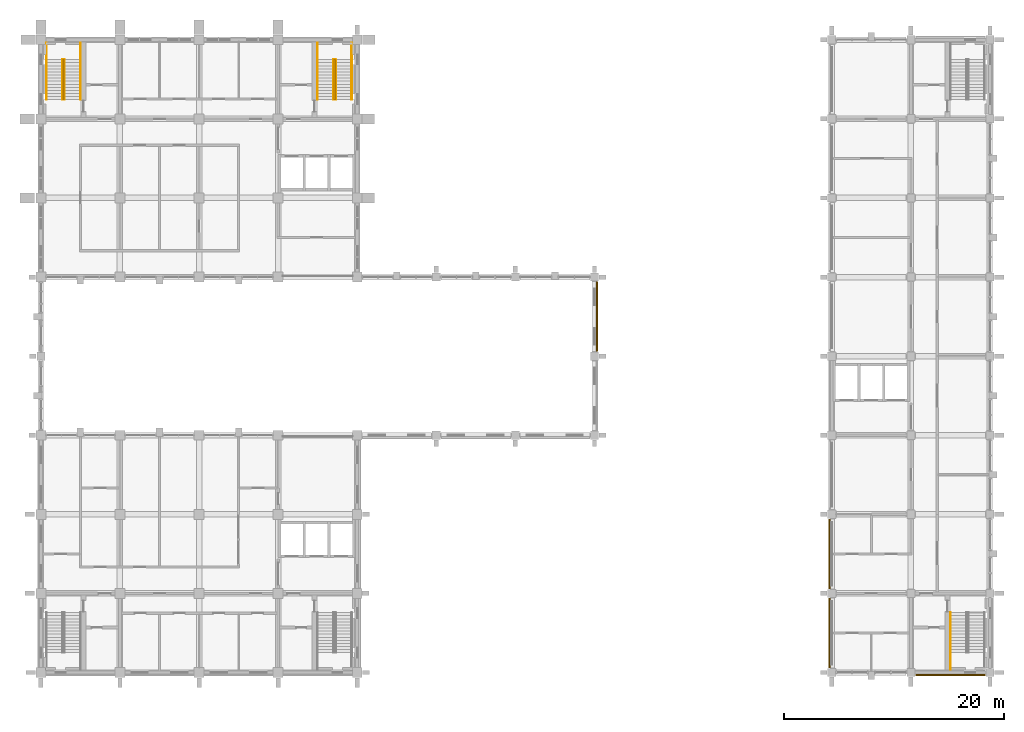
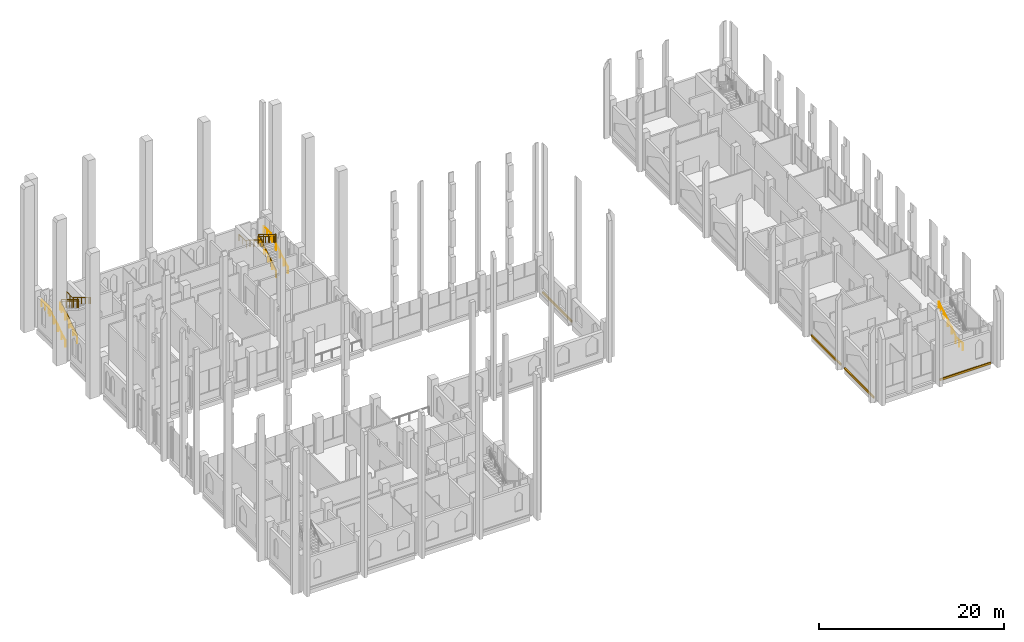
# One storey, part 39 of 40: 11 railings, 4 coverings.
"""IFC4 building model written with IfcOpenShell, lengths in metres."""

from ifc_helpers import new_model, si_unit, direction, frame, origin, origin_2d, place, context, subcontext, project, spatial, rectangle, circle, extrude, material, type_object, element, save


model = new_model("IFC4")

# Units and contexts
model_context = context("Model", 3, precision=1e-05, world=origin(), true_north=direction((0.0, 1.0)))
body_context = subcontext(model_context, "Body", "Model", "MODEL_VIEW")
ifc_project = project(units=[si_unit("LENGTHUNIT", "METRE"), si_unit("AREAUNIT", "SQUARE_METRE"), si_unit("VOLUMEUNIT", "CUBIC_METRE"), si_unit("PLANEANGLEUNIT", "RADIAN"), si_unit("MASSUNIT", "GRAM", prefix="KILO")], contexts=[model_context])

# Site, building, storey
site_placement = place(None, origin())
site = spatial("IfcSite", under=ifc_project, at=site_placement, CompositionType="ELEMENT")
building_placement = place(site_placement, origin())
building = spatial("IfcBuilding", under=site, at=building_placement, Name="Silangan Lancet Faculty of Sciences", CompositionType="ELEMENT")
storey_placement = place(building_placement, frame((0.0, 0.0, 21.60009765625)))
storey = spatial("IfcBuildingStorey", under=building, at=storey_placement, Name="L04", CompositionType="ELEMENT", Elevation=21.60009765625)

# Coverings
ifc_material_1 = material(Name="Concrete C40/50 precast", Category="concrete")
covering_type = type_object("IfcCoveringType", Name="SC1 Precast string course 250 x 150", PredefinedType="CLADDING", material=ifc_material_1)
covering_1_placement = place(storey_placement, frame((50.625, 32.39990234375, -0.25), z_axis=(0.0, 0.0, 1.0), x_axis=(1.0, 0.0, 0.0)))
element("IfcCovering", 1, at=covering_1_placement, inside=storey, type_object=covering_type, Name="SC-L04-E-NAVE-01", PredefinedType="CLADDING", context=body_context, shape_type="SweptSolid", body=[
    extrude(rectangle(XDim=0.14990234375, YDim=6.35009765625, at=origin_2d()), origin(), (0.0, 0.0, 1.0), 0.25),
])
covering_2_placement = place(storey_placement, frame((82.800048828125, -0.22509765625, -0.25), z_axis=(0.0, 0.0, 1.0), x_axis=(1.0, 0.0, 0.0)))
element("IfcCovering", 2, at=covering_2_placement, inside=storey, type_object=covering_type, Name="SC-L04-S-EB-01", PredefinedType="CLADDING", context=body_context, shape_type="SweptSolid", body=[
    extrude(rectangle(XDim=6.35009765625, YDim=0.14990234375, at=origin_2d()), origin(), (0.0, 0.0, 1.0), 0.25),
])
for number, where, z_axis, x_axis, name in (
    (3, (71.77490234375, 3.60009765625, -0.25), (0.0, 0.0, 1.0), (1.0, 0.0, 0.0), "SC-L04-W-EB-00"),
    (4, (71.77490234375, 10.800048828125, -0.25), (0.0, 0.0, 1.0), (1.0, 0.0, 0.0), "SC-L04-W-EB-01"),
):
    element("IfcCovering", number, at=place(storey_placement, frame(where, z_axis=z_axis, x_axis=x_axis)), inside=storey, type_object=covering_type, Name=name, PredefinedType="CLADDING", context=body_context, shape_type="SweptSolid", body=[
        extrude(rectangle(XDim=0.14990234375, YDim=6.35009765625, at=origin_2d()), origin(), (0.0, 0.0, 1.0), 0.25),
    ])

# Railings
ifc_material_2 = material(Name="Steel balustrade", Category="steel")
railing_type_1 = type_object("IfcRailingType", Name="STAIR GUARD 1100", PredefinedType="GUARDRAIL", material=ifc_material_2)
railing_1_placement = place(storey_placement, frame((2.0, 52.14990234375, 0.17138671875)))
element("IfcRailing", 5, at=railing_1_placement, inside=storey, type_object=railing_type_1, Name="GUARD-NT-A-L04", PredefinedType="GUARDRAIL", context=body_context, shape_type="SweptSolid", body=[
    extrude(circle(Radius=0.02392578125, at=origin_2d()), frame((0.0, 0.0, 1.076171875), z_axis=(0.0, 0.852932391421, 0.522021393877), x_axis=(-1.0, 0.0, 0.0)), (0.0, 0.0, 1.0), 1.313232421875),
    extrude(circle(Radius=0.02392578125, at=origin_2d()), frame((0.0, 1.1201171875, 1.76171875), z_axis=(0.0, 0.852798921012, 0.522239409008), x_axis=(-1.0, 0.0, 0.0)), (0.0, 0.0, 1.0), 1.313232421875),
    extrude(circle(Radius=0.02392578125, at=origin_2d()), frame((0.0, 2.239990234375, 2.447265625), z_axis=(0.0, 0.852849614702, 0.52215661894), x_axis=(-1.0, 0.0, 0.0)), (0.0, 0.0, 1.0), 1.3134765625),
    extrude(circle(Radius=0.02392578125, at=origin_2d()), frame((0.0, 3.360107421875, 3.13330078125), z_axis=(0.0, 0.852932391421, 0.522021393877), x_axis=(-1.0, 0.0, 0.0)), (0.0, 0.0, 1.0), 0.328369140625),
    extrude(circle(Radius=0.02392578125, at=origin_2d()), frame((0.0, 3.64013671875, 3.3046875), z_axis=(1.0, 0.0, 0.0), x_axis=(0.0, 1.0, 0.0)), (0.0, 0.0, 1.0), 0.10009765625),
    extrude(circle(Radius=0.02392578125, at=origin_2d()), frame((0.10009765625, 3.64013671875, 3.3046875), z_axis=(0.0, 0.0, 1.0), x_axis=(1.0, 0.0, 0.0)), (0.0, 0.0, 1.0), 0.17138671875),
    extrude(circle(Radius=0.02392578125, at=origin_2d()), frame((0.10009765625, 3.64013671875, 3.47607421875), z_axis=(0.0, -0.852849614702, 0.52215661894), x_axis=(1.0, 0.0, 0.0)), (0.0, 0.0, 1.0), 1.3134765625),
    extrude(circle(Radius=0.02392578125, at=origin_2d()), frame((0.10009765625, 2.52001953125, 4.16162109375), z_axis=(0.0, -0.852798921012, 0.522239409008), x_axis=(1.0, 0.0, 0.0)), (0.0, 0.0, 1.0), 1.313232421875),
    extrude(circle(Radius=0.02392578125, at=origin_2d()), frame((0.10009765625, 1.400146484375, 4.84765625), z_axis=(0.0, -0.852932391421, 0.522021393877), x_axis=(1.0, 0.0, 0.0)), (0.0, 0.0, 1.0), 1.313232421875),
    extrude(circle(Radius=0.02392578125, at=origin_2d()), frame((0.10009765625, 0.280029296875, 5.533203125), z_axis=(0.0, -0.852932391421, 0.522021393877), x_axis=(1.0, 0.0, 0.0)), (0.0, 0.0, 1.0), 0.328369140625),
    extrude(circle(Radius=0.02392578125, at=origin_2d()), frame((0.10009765625, 0.0, 5.70458984375), z_axis=(-1.0, 0.0, 0.0), x_axis=(0.0, -1.0, 0.0)), (0.0, 0.0, 1.0), 0.10009765625),
    extrude(circle(Radius=0.02099609375, at=origin_2d()), origin(), (0.0, 0.0, 1.0), 1.052001953125),
    extrude(circle(Radius=0.02099609375, at=origin_2d()), frame((0.0, 1.1201171875, 0.685546875)), (0.0, 0.0, 1.0), 1.052001953125),
    extrude(circle(Radius=0.02099609375, at=origin_2d()), frame((0.0, 2.239990234375, 1.371337890625)), (0.0, 0.0, 1.0), 1.052001953125),
    extrude(circle(Radius=0.02099609375, at=origin_2d()), frame((0.0, 3.360107421875, 2.05712890625)), (0.0, 0.0, 1.0), 1.052001953125),
    extrude(circle(Radius=0.02099609375, at=origin_2d()), frame((0.0, 3.64013671875, 2.228515625)), (0.0, 0.0, 1.0), 1.052001953125),
    extrude(circle(Radius=0.02099609375, at=origin_2d()), frame((0.10009765625, 3.64013671875, 2.228515625)), (0.0, 0.0, 1.0), 1.052001953125),
    extrude(circle(Radius=0.02099609375, at=origin_2d()), frame((0.10009765625, 3.64013671875, 2.39990234375)), (0.0, 0.0, 1.0), 1.052001953125),
    extrude(circle(Radius=0.02099609375, at=origin_2d()), frame((0.10009765625, 2.52001953125, 3.085693359375)), (0.0, 0.0, 1.0), 1.052001953125),
    extrude(circle(Radius=0.02099609375, at=origin_2d()), frame((0.10009765625, 1.400146484375, 3.771484375)), (0.0, 0.0, 1.0), 1.052001953125),
    extrude(circle(Radius=0.02099609375, at=origin_2d()), frame((0.10009765625, 0.280029296875, 4.45703125)), (0.0, 0.0, 1.0), 1.052001953125),
    extrude(circle(Radius=0.02099609375, at=origin_2d()), frame((0.10009765625, 0.0, 4.62841796875)), (0.0, 0.0, 1.0), 1.052001953125),
    extrude(circle(Radius=0.02099609375, at=origin_2d()), frame((0.0, 0.0, 4.62841796875)), (0.0, 0.0, 1.0), 1.052001953125),
])
railing_2_placement = place(storey_placement, frame((26.800048828125, 52.14990234375, 0.17138671875)))
element("IfcRailing", 6, at=railing_2_placement, inside=storey, type_object=railing_type_1, Name="GUARD-NT-B-L04", PredefinedType="GUARDRAIL", context=body_context, shape_type="SweptSolid", body=[
    extrude(circle(Radius=0.02392578125, at=origin_2d()), frame((0.0, 0.0, 1.076171875), z_axis=(0.0, 0.852932391421, 0.522021393877), x_axis=(-1.0, 0.0, 0.0)), (0.0, 0.0, 1.0), 1.313232421875),
    extrude(circle(Radius=0.02392578125, at=origin_2d()), frame((0.0, 1.1201171875, 1.76171875), z_axis=(0.0, 0.852798921012, 0.522239409008), x_axis=(-1.0, 0.0, 0.0)), (0.0, 0.0, 1.0), 1.313232421875),
    extrude(circle(Radius=0.02392578125, at=origin_2d()), frame((0.0, 2.239990234375, 2.447265625), z_axis=(0.0, 0.852849614702, 0.52215661894), x_axis=(-1.0, 0.0, 0.0)), (0.0, 0.0, 1.0), 1.3134765625),
    extrude(circle(Radius=0.02392578125, at=origin_2d()), frame((0.0, 3.360107421875, 3.13330078125), z_axis=(0.0, 0.852932391421, 0.522021393877), x_axis=(-1.0, 0.0, 0.0)), (0.0, 0.0, 1.0), 0.328369140625),
    extrude(circle(Radius=0.02392578125, at=origin_2d()), frame((0.0, 3.64013671875, 3.3046875), z_axis=(-1.0, 0.0, 0.0), x_axis=(0.0, -1.0, 0.0)), (0.0, 0.0, 1.0), 0.10009765625),
    extrude(circle(Radius=0.02392578125, at=origin_2d()), frame((-0.10009765625, 3.64013671875, 3.3046875), z_axis=(0.0, 0.0, 1.0), x_axis=(1.0, 0.0, 0.0)), (0.0, 0.0, 1.0), 0.17138671875),
    extrude(circle(Radius=0.02392578125, at=origin_2d()), frame((-0.10009765625, 3.64013671875, 3.47607421875), z_axis=(0.0, -0.852849614702, 0.52215661894), x_axis=(1.0, 0.0, 0.0)), (0.0, 0.0, 1.0), 1.3134765625),
    extrude(circle(Radius=0.02392578125, at=origin_2d()), frame((-0.10009765625, 2.52001953125, 4.16162109375), z_axis=(0.0, -0.852798921012, 0.522239409008), x_axis=(1.0, 0.0, 0.0)), (0.0, 0.0, 1.0), 1.313232421875),
    extrude(circle(Radius=0.02392578125, at=origin_2d()), frame((-0.10009765625, 1.400146484375, 4.84765625), z_axis=(0.0, -0.852932391421, 0.522021393877), x_axis=(1.0, 0.0, 0.0)), (0.0, 0.0, 1.0), 1.313232421875),
    extrude(circle(Radius=0.02392578125, at=origin_2d()), frame((-0.10009765625, 0.280029296875, 5.533203125), z_axis=(0.0, -0.852932391421, 0.522021393877), x_axis=(1.0, 0.0, 0.0)), (0.0, 0.0, 1.0), 0.328369140625),
    extrude(circle(Radius=0.02392578125, at=origin_2d()), frame((-0.10009765625, 0.0, 5.70458984375), z_axis=(1.0, 0.0, 0.0), x_axis=(0.0, 1.0, 0.0)), (0.0, 0.0, 1.0), 0.10009765625),
    extrude(circle(Radius=0.02099609375, at=origin_2d()), origin(), (0.0, 0.0, 1.0), 1.052001953125),
    extrude(circle(Radius=0.02099609375, at=origin_2d()), frame((0.0, 1.1201171875, 0.685546875)), (0.0, 0.0, 1.0), 1.052001953125),
    extrude(circle(Radius=0.02099609375, at=origin_2d()), frame((0.0, 2.239990234375, 1.371337890625)), (0.0, 0.0, 1.0), 1.052001953125),
    extrude(circle(Radius=0.02099609375, at=origin_2d()), frame((0.0, 3.360107421875, 2.05712890625)), (0.0, 0.0, 1.0), 1.052001953125),
    extrude(circle(Radius=0.02099609375, at=origin_2d()), frame((0.0, 3.64013671875, 2.228515625)), (0.0, 0.0, 1.0), 1.052001953125),
    extrude(circle(Radius=0.02099609375, at=origin_2d()), frame((-0.10009765625, 3.64013671875, 2.228515625)), (0.0, 0.0, 1.0), 1.052001953125),
    extrude(circle(Radius=0.02099609375, at=origin_2d()), frame((-0.10009765625, 3.64013671875, 2.39990234375)), (0.0, 0.0, 1.0), 1.052001953125),
    extrude(circle(Radius=0.02099609375, at=origin_2d()), frame((-0.10009765625, 2.52001953125, 3.085693359375)), (0.0, 0.0, 1.0), 1.052001953125),
    extrude(circle(Radius=0.02099609375, at=origin_2d()), frame((-0.10009765625, 1.400146484375, 3.771484375)), (0.0, 0.0, 1.0), 1.052001953125),
    extrude(circle(Radius=0.02099609375, at=origin_2d()), frame((-0.10009765625, 0.280029296875, 4.45703125)), (0.0, 0.0, 1.0), 1.052001953125),
    extrude(circle(Radius=0.02099609375, at=origin_2d()), frame((-0.10009765625, 0.0, 4.62841796875)), (0.0, 0.0, 1.0), 1.052001953125),
    extrude(circle(Radius=0.02099609375, at=origin_2d()), frame((0.0, 0.0, 4.62841796875)), (0.0, 0.0, 1.0), 1.052001953125),
])
ifc_material_3 = material(Name="Stainless steel", Category="steel")
railing_type_2 = type_object("IfcRailingType", Name="STAIR HANDRAIL 865", PredefinedType="HANDRAIL", material=ifc_material_3)
railing_3_placement = place(storey_placement, frame((82.800048828125, 0.27490234375, 2.39990234375)))
element("IfcRailing", 7, at=railing_3_placement, inside=storey, type_object=railing_type_2, Name="HANDRAIL-EB-A-L04-O2", PredefinedType="HANDRAIL", context=body_context, shape_type="SweptSolid", body=[
    extrude(circle(Radius=0.02392578125, at=origin_2d()), frame((0.0, 0.0, 0.8408203125), z_axis=(0.0, 1.0, 0.0), x_axis=(-1.0, 0.0, 0.0)), (0.0, 0.0, 1.0), 1.53515625),
    extrude(circle(Radius=0.02392578125, at=origin_2d()), frame((0.0, 1.53515625, 0.8408203125), z_axis=(0.0, 0.0, 1.0), x_axis=(1.0, 0.0, 0.0)), (0.0, 0.0, 1.0), 0.17138671875),
    extrude(circle(Radius=0.02392578125, at=origin_2d()), frame((0.0, 1.53515625, 1.01220703125), z_axis=(0.0, 0.852754414843, 0.522312079092), x_axis=(-1.0, 0.0, 0.0)), (0.0, 0.0, 1.0), 0.98486328125),
    extrude(circle(Radius=0.02392578125, at=origin_2d()), frame((0.0, 2.375, 1.52685546875), z_axis=(0.0, 0.852932391421, 0.522021393877), x_axis=(-1.0, 0.0, 0.0)), (0.0, 0.0, 1.0), 0.98486328125),
    extrude(circle(Radius=0.02392578125, at=origin_2d()), frame((0.0, 3.215087890625, 2.041015625), z_axis=(0.0, 0.852822021269, 0.522201685212), x_axis=(-1.0, 0.0, 0.0)), (0.0, 0.0, 1.0), 0.985107421875),
    extrude(circle(Radius=0.02392578125, at=origin_2d()), frame((0.0, 4.05517578125, 2.55517578125), z_axis=(0.0, 0.85286482292, 0.522131778218), x_axis=(-1.0, 0.0, 0.0)), (0.0, 0.0, 1.0), 0.984619140625),
    extrude(circle(Radius=0.02392578125, at=origin_2d()), frame((0.0, 4.89501953125, 3.0693359375), z_axis=(0.0, 0.852932391421, 0.522021393877), x_axis=(-1.0, 0.0, 0.0)), (0.0, 0.0, 1.0), 0.328369140625),
    extrude(circle(Radius=0.02099609375, at=origin_2d()), origin(), (0.0, 0.0, 1.0), 0.81689453125),
    extrude(circle(Radius=0.02099609375, at=origin_2d()), frame((0.0, 0.767578125, 0.0)), (0.0, 0.0, 1.0), 0.81689453125),
    extrude(circle(Radius=0.02099609375, at=origin_2d()), frame((0.0, 1.53515625, 0.0)), (0.0, 0.0, 1.0), 0.81689453125),
    extrude(circle(Radius=0.02099609375, at=origin_2d()), frame((0.0, 1.53515625, 0.17138671875)), (0.0, 0.0, 1.0), 0.81689453125),
    extrude(circle(Radius=0.02099609375, at=origin_2d()), frame((0.0, 2.375, 0.685791015625)), (0.0, 0.0, 1.0), 0.81689453125),
    extrude(circle(Radius=0.02099609375, at=origin_2d()), frame((0.0, 3.215087890625, 1.199951171875)), (0.0, 0.0, 1.0), 0.81689453125),
    extrude(circle(Radius=0.02099609375, at=origin_2d()), frame((0.0, 4.05517578125, 1.71435546875)), (0.0, 0.0, 1.0), 0.81689453125),
    extrude(circle(Radius=0.02099609375, at=origin_2d()), frame((0.0, 4.89501953125, 2.228515625)), (0.0, 0.0, 1.0), 0.81689453125),
    extrude(circle(Radius=0.02099609375, at=origin_2d()), frame((0.0, 5.175048828125, 2.39990234375)), (0.0, 0.0, 1.0), 0.81689453125),
])
railing_4_placement = place(storey_placement, frame((0.5, 52.14990234375, 0.17138671875)))
element("IfcRailing", 8, at=railing_4_placement, inside=storey, type_object=railing_type_2, Name="HANDRAIL-NT-A-L04-O1", PredefinedType="HANDRAIL", context=body_context, shape_type="SweptSolid", body=[
    extrude(circle(Radius=0.02392578125, at=origin_2d()), frame((0.0, 0.0, 0.8408203125), z_axis=(0.0, 0.852932391421, 0.522021393877), x_axis=(-1.0, 0.0, 0.0)), (0.0, 0.0, 1.0), 0.98486328125),
    extrude(circle(Radius=0.02392578125, at=origin_2d()), frame((0.0, 0.840087890625, 1.35498046875), z_axis=(0.0, 0.852822021269, 0.522201685212), x_axis=(-1.0, 0.0, 0.0)), (0.0, 0.0, 1.0), 0.985107421875),
    extrude(circle(Radius=0.02392578125, at=origin_2d()), frame((0.0, 1.68017578125, 1.86962890625), z_axis=(0.0, 0.85286482292, 0.522131778218), x_axis=(-1.0, 0.0, 0.0)), (0.0, 0.0, 1.0), 0.984619140625),
    extrude(circle(Radius=0.02392578125, at=origin_2d()), frame((0.0, 2.52001953125, 2.3837890625), z_axis=(0.0, 0.852822021269, 0.522201685212), x_axis=(-1.0, 0.0, 0.0)), (0.0, 0.0, 1.0), 0.985107421875),
    extrude(circle(Radius=0.02392578125, at=origin_2d()), frame((0.0, 3.360107421875, 2.89794921875), z_axis=(0.0, 0.852932391421, 0.522021393877), x_axis=(-1.0, 0.0, 0.0)), (0.0, 0.0, 1.0), 0.328369140625),
    extrude(circle(Radius=0.02392578125, at=origin_2d()), frame((0.0, 3.64013671875, 3.0693359375), z_axis=(0.0, 1.0, 0.0), x_axis=(-1.0, 0.0, 0.0)), (0.0, 0.0, 1.0), 1.534912109375),
    extrude(circle(Radius=0.02099609375, at=origin_2d()), origin(), (0.0, 0.0, 1.0), 0.81689453125),
    extrude(circle(Radius=0.02099609375, at=origin_2d()), frame((0.0, 0.840087890625, 0.51416015625)), (0.0, 0.0, 1.0), 0.81689453125),
    extrude(circle(Radius=0.02099609375, at=origin_2d()), frame((0.0, 1.68017578125, 1.028564453125)), (0.0, 0.0, 1.0), 0.81689453125),
    extrude(circle(Radius=0.02099609375, at=origin_2d()), frame((0.0, 2.52001953125, 1.542724609375)), (0.0, 0.0, 1.0), 0.81689453125),
    extrude(circle(Radius=0.02099609375, at=origin_2d()), frame((0.0, 3.360107421875, 2.05712890625)), (0.0, 0.0, 1.0), 0.81689453125),
    extrude(circle(Radius=0.02099609375, at=origin_2d()), frame((0.0, 3.64013671875, 2.228515625)), (0.0, 0.0, 1.0), 0.81689453125),
    extrude(circle(Radius=0.02099609375, at=origin_2d()), frame((0.0, 4.40771484375, 2.228515625)), (0.0, 0.0, 1.0), 0.81689453125),
    extrude(circle(Radius=0.02099609375, at=origin_2d()), frame((0.0, 5.175048828125, 2.228515625)), (0.0, 0.0, 1.0), 0.81689453125),
])
railing_5_placement = place(storey_placement, frame((1.949951171875, 52.14990234375, 0.17138671875)))
element("IfcRailing", 9, at=railing_5_placement, inside=storey, type_object=railing_type_2, Name="HANDRAIL-NT-A-L04-I1", PredefinedType="HANDRAIL", context=body_context, shape_type="SweptSolid", body=[
    extrude(circle(Radius=0.02392578125, at=origin_2d()), frame((0.0, 0.0, 0.8408203125), z_axis=(0.0, 0.852932391421, 0.522021393877), x_axis=(-1.0, 0.0, 0.0)), (0.0, 0.0, 1.0), 0.98486328125),
    extrude(circle(Radius=0.02392578125, at=origin_2d()), frame((0.0, 0.840087890625, 1.35498046875), z_axis=(0.0, 0.852822021269, 0.522201685212), x_axis=(-1.0, 0.0, 0.0)), (0.0, 0.0, 1.0), 0.985107421875),
    extrude(circle(Radius=0.02392578125, at=origin_2d()), frame((0.0, 1.68017578125, 1.86962890625), z_axis=(0.0, 0.85286482292, 0.522131778218), x_axis=(-1.0, 0.0, 0.0)), (0.0, 0.0, 1.0), 0.984619140625),
    extrude(circle(Radius=0.02392578125, at=origin_2d()), frame((0.0, 2.52001953125, 2.3837890625), z_axis=(0.0, 0.852822021269, 0.522201685212), x_axis=(-1.0, 0.0, 0.0)), (0.0, 0.0, 1.0), 0.985107421875),
    extrude(circle(Radius=0.02392578125, at=origin_2d()), frame((0.0, 3.360107421875, 2.89794921875), z_axis=(0.0, 0.852932391421, 0.522021393877), x_axis=(-1.0, 0.0, 0.0)), (0.0, 0.0, 1.0), 0.328369140625),
    extrude(circle(Radius=0.02099609375, at=origin_2d()), origin(), (0.0, 0.0, 1.0), 0.81689453125),
    extrude(circle(Radius=0.02099609375, at=origin_2d()), frame((0.0, 0.840087890625, 0.51416015625)), (0.0, 0.0, 1.0), 0.81689453125),
    extrude(circle(Radius=0.02099609375, at=origin_2d()), frame((0.0, 1.68017578125, 1.028564453125)), (0.0, 0.0, 1.0), 0.81689453125),
    extrude(circle(Radius=0.02099609375, at=origin_2d()), frame((0.0, 2.52001953125, 1.542724609375)), (0.0, 0.0, 1.0), 0.81689453125),
    extrude(circle(Radius=0.02099609375, at=origin_2d()), frame((0.0, 3.360107421875, 2.05712890625)), (0.0, 0.0, 1.0), 0.81689453125),
    extrude(circle(Radius=0.02099609375, at=origin_2d()), frame((0.0, 3.64013671875, 2.228515625)), (0.0, 0.0, 1.0), 0.81689453125),
])
railing_6_placement = place(storey_placement, frame((3.60009765625, 57.324951171875, 2.39990234375)))
element("IfcRailing", 10, at=railing_6_placement, inside=storey, type_object=railing_type_2, Name="HANDRAIL-NT-A-L04-O2", PredefinedType="HANDRAIL", context=body_context, shape_type="SweptSolid", body=[
    extrude(circle(Radius=0.02392578125, at=origin_2d()), frame((0.0, 0.0, 0.8408203125), z_axis=(0.0, -1.0, 0.0), x_axis=(1.0, 0.0, 0.0)), (0.0, 0.0, 1.0), 1.534912109375),
    extrude(circle(Radius=0.02392578125, at=origin_2d()), frame((0.0, -1.534912109375, 0.8408203125), z_axis=(0.0, 0.0, 1.0), x_axis=(1.0, 0.0, 0.0)), (0.0, 0.0, 1.0), 0.17138671875),
    extrude(circle(Radius=0.02392578125, at=origin_2d()), frame((0.0, -1.534912109375, 1.01220703125), z_axis=(0.0, -0.852822021269, 0.522201685212), x_axis=(1.0, 0.0, 0.0)), (0.0, 0.0, 1.0), 0.985107421875),
    extrude(circle(Radius=0.02392578125, at=origin_2d()), frame((0.0, -2.375, 1.52685546875), z_axis=(0.0, -0.85286482292, 0.522131778218), x_axis=(1.0, 0.0, 0.0)), (0.0, 0.0, 1.0), 0.984619140625),
    extrude(circle(Radius=0.02392578125, at=origin_2d()), frame((0.0, -3.21484375, 2.041015625), z_axis=(0.0, -0.852822021269, 0.522201685212), x_axis=(1.0, 0.0, 0.0)), (0.0, 0.0, 1.0), 0.985107421875),
    extrude(circle(Radius=0.02392578125, at=origin_2d()), frame((0.0, -4.054931640625, 2.55517578125), z_axis=(0.0, -0.852932391421, 0.522021393877), x_axis=(1.0, 0.0, 0.0)), (0.0, 0.0, 1.0), 0.98486328125),
    extrude(circle(Radius=0.02392578125, at=origin_2d()), frame((0.0, -4.89501953125, 3.0693359375), z_axis=(0.0, -0.852932391421, 0.522021393877), x_axis=(1.0, 0.0, 0.0)), (0.0, 0.0, 1.0), 0.328369140625),
    extrude(circle(Radius=0.02099609375, at=origin_2d()), origin(), (0.0, 0.0, 1.0), 0.81689453125),
    extrude(circle(Radius=0.02099609375, at=origin_2d()), frame((0.0, -0.767578125, 0.0)), (0.0, 0.0, 1.0), 0.81689453125),
    extrude(circle(Radius=0.02099609375, at=origin_2d()), frame((0.0, -1.534912109375, 0.0)), (0.0, 0.0, 1.0), 0.81689453125),
    extrude(circle(Radius=0.02099609375, at=origin_2d()), frame((0.0, -1.534912109375, 0.17138671875)), (0.0, 0.0, 1.0), 0.81689453125),
    extrude(circle(Radius=0.02099609375, at=origin_2d()), frame((0.0, -2.375, 0.685791015625)), (0.0, 0.0, 1.0), 0.81689453125),
    extrude(circle(Radius=0.02099609375, at=origin_2d()), frame((0.0, -3.21484375, 1.199951171875)), (0.0, 0.0, 1.0), 0.81689453125),
    extrude(circle(Radius=0.02099609375, at=origin_2d()), frame((0.0, -4.054931640625, 1.71435546875)), (0.0, 0.0, 1.0), 0.81689453125),
    extrude(circle(Radius=0.02099609375, at=origin_2d()), frame((0.0, -4.89501953125, 2.228515625)), (0.0, 0.0, 1.0), 0.81689453125),
    extrude(circle(Radius=0.02099609375, at=origin_2d()), frame((0.0, -5.175048828125, 2.39990234375)), (0.0, 0.0, 1.0), 0.81689453125),
])
railing_7_placement = place(storey_placement, frame((2.14990234375, 55.7900390625, 2.5712890625)))
element("IfcRailing", 11, at=railing_7_placement, inside=storey, type_object=railing_type_2, Name="HANDRAIL-NT-A-L04-I2", PredefinedType="HANDRAIL", context=body_context, shape_type="SweptSolid", body=[
    extrude(circle(Radius=0.02392578125, at=origin_2d()), frame((0.0, 0.0, 0.8408203125), z_axis=(0.0, -0.852822021269, 0.522201685212), x_axis=(1.0, 0.0, 0.0)), (0.0, 0.0, 1.0), 0.985107421875),
    extrude(circle(Radius=0.02392578125, at=origin_2d()), frame((0.0, -0.840087890625, 1.35546875), z_axis=(0.0, -0.85286482292, 0.522131778218), x_axis=(1.0, 0.0, 0.0)), (0.0, 0.0, 1.0), 0.984619140625),
    extrude(circle(Radius=0.02392578125, at=origin_2d()), frame((0.0, -1.679931640625, 1.86962890625), z_axis=(0.0, -0.852822021269, 0.522201685212), x_axis=(1.0, 0.0, 0.0)), (0.0, 0.0, 1.0), 0.985107421875),
    extrude(circle(Radius=0.02392578125, at=origin_2d()), frame((0.0, -2.52001953125, 2.3837890625), z_axis=(0.0, -0.852932391421, 0.522021393877), x_axis=(1.0, 0.0, 0.0)), (0.0, 0.0, 1.0), 0.98486328125),
    extrude(circle(Radius=0.02392578125, at=origin_2d()), frame((0.0, -3.360107421875, 2.89794921875), z_axis=(0.0, -0.852932391421, 0.522021393877), x_axis=(1.0, 0.0, 0.0)), (0.0, 0.0, 1.0), 0.328369140625),
    extrude(circle(Radius=0.02099609375, at=origin_2d()), origin(), (0.0, 0.0, 1.0), 0.81689453125),
    extrude(circle(Radius=0.02099609375, at=origin_2d()), frame((0.0, -0.840087890625, 0.514404296875)), (0.0, 0.0, 1.0), 0.81689453125),
    extrude(circle(Radius=0.02099609375, at=origin_2d()), frame((0.0, -1.679931640625, 1.028564453125)), (0.0, 0.0, 1.0), 0.81689453125),
    extrude(circle(Radius=0.02099609375, at=origin_2d()), frame((0.0, -2.52001953125, 1.54296875)), (0.0, 0.0, 1.0), 0.81689453125),
    extrude(circle(Radius=0.02099609375, at=origin_2d()), frame((0.0, -3.360107421875, 2.05712890625)), (0.0, 0.0, 1.0), 0.81689453125),
    extrude(circle(Radius=0.02099609375, at=origin_2d()), frame((0.0, -3.64013671875, 2.228515625)), (0.0, 0.0, 1.0), 0.81689453125),
])
railing_8_placement = place(storey_placement, frame((28.300048828125, 52.14990234375, 0.17138671875)))
element("IfcRailing", 12, at=railing_8_placement, inside=storey, type_object=railing_type_2, Name="HANDRAIL-NT-B-L04-O1", PredefinedType="HANDRAIL", context=body_context, shape_type="SweptSolid", body=[
    extrude(circle(Radius=0.02392578125, at=origin_2d()), frame((0.0, 0.0, 0.8408203125), z_axis=(0.0, 0.852932391421, 0.522021393877), x_axis=(-1.0, 0.0, 0.0)), (0.0, 0.0, 1.0), 0.98486328125),
    extrude(circle(Radius=0.02392578125, at=origin_2d()), frame((0.0, 0.840087890625, 1.35498046875), z_axis=(0.0, 0.852822021269, 0.522201685212), x_axis=(-1.0, 0.0, 0.0)), (0.0, 0.0, 1.0), 0.985107421875),
    extrude(circle(Radius=0.02392578125, at=origin_2d()), frame((0.0, 1.68017578125, 1.86962890625), z_axis=(0.0, 0.85286482292, 0.522131778218), x_axis=(-1.0, 0.0, 0.0)), (0.0, 0.0, 1.0), 0.984619140625),
    extrude(circle(Radius=0.02392578125, at=origin_2d()), frame((0.0, 2.52001953125, 2.3837890625), z_axis=(0.0, 0.852822021269, 0.522201685212), x_axis=(-1.0, 0.0, 0.0)), (0.0, 0.0, 1.0), 0.985107421875),
    extrude(circle(Radius=0.02392578125, at=origin_2d()), frame((0.0, 3.360107421875, 2.89794921875), z_axis=(0.0, 0.852932391421, 0.522021393877), x_axis=(-1.0, 0.0, 0.0)), (0.0, 0.0, 1.0), 0.328369140625),
    extrude(circle(Radius=0.02392578125, at=origin_2d()), frame((0.0, 3.64013671875, 3.0693359375), z_axis=(0.0, 1.0, 0.0), x_axis=(-1.0, 0.0, 0.0)), (0.0, 0.0, 1.0), 1.534912109375),
    extrude(circle(Radius=0.02099609375, at=origin_2d()), origin(), (0.0, 0.0, 1.0), 0.81689453125),
    extrude(circle(Radius=0.02099609375, at=origin_2d()), frame((0.0, 0.840087890625, 0.51416015625)), (0.0, 0.0, 1.0), 0.81689453125),
    extrude(circle(Radius=0.02099609375, at=origin_2d()), frame((0.0, 1.68017578125, 1.028564453125)), (0.0, 0.0, 1.0), 0.81689453125),
    extrude(circle(Radius=0.02099609375, at=origin_2d()), frame((0.0, 2.52001953125, 1.542724609375)), (0.0, 0.0, 1.0), 0.81689453125),
    extrude(circle(Radius=0.02099609375, at=origin_2d()), frame((0.0, 3.360107421875, 2.05712890625)), (0.0, 0.0, 1.0), 0.81689453125),
    extrude(circle(Radius=0.02099609375, at=origin_2d()), frame((0.0, 3.64013671875, 2.228515625)), (0.0, 0.0, 1.0), 0.81689453125),
    extrude(circle(Radius=0.02099609375, at=origin_2d()), frame((0.0, 4.40771484375, 2.228515625)), (0.0, 0.0, 1.0), 0.81689453125),
    extrude(circle(Radius=0.02099609375, at=origin_2d()), frame((0.0, 5.175048828125, 2.228515625)), (0.0, 0.0, 1.0), 0.81689453125),
])
railing_9_placement = place(storey_placement, frame((26.85009765625, 52.14990234375, 0.17138671875)))
element("IfcRailing", 13, at=railing_9_placement, inside=storey, type_object=railing_type_2, Name="HANDRAIL-NT-B-L04-I1", PredefinedType="HANDRAIL", context=body_context, shape_type="SweptSolid", body=[
    extrude(circle(Radius=0.02392578125, at=origin_2d()), frame((0.0, 0.0, 0.8408203125), z_axis=(0.0, 0.852932391421, 0.522021393877), x_axis=(-1.0, 0.0, 0.0)), (0.0, 0.0, 1.0), 0.98486328125),
    extrude(circle(Radius=0.02392578125, at=origin_2d()), frame((0.0, 0.840087890625, 1.35498046875), z_axis=(0.0, 0.852822021269, 0.522201685212), x_axis=(-1.0, 0.0, 0.0)), (0.0, 0.0, 1.0), 0.985107421875),
    extrude(circle(Radius=0.02392578125, at=origin_2d()), frame((0.0, 1.68017578125, 1.86962890625), z_axis=(0.0, 0.85286482292, 0.522131778218), x_axis=(-1.0, 0.0, 0.0)), (0.0, 0.0, 1.0), 0.984619140625),
    extrude(circle(Radius=0.02392578125, at=origin_2d()), frame((0.0, 2.52001953125, 2.3837890625), z_axis=(0.0, 0.852822021269, 0.522201685212), x_axis=(-1.0, 0.0, 0.0)), (0.0, 0.0, 1.0), 0.985107421875),
    extrude(circle(Radius=0.02392578125, at=origin_2d()), frame((0.0, 3.360107421875, 2.89794921875), z_axis=(0.0, 0.852932391421, 0.522021393877), x_axis=(-1.0, 0.0, 0.0)), (0.0, 0.0, 1.0), 0.328369140625),
    extrude(circle(Radius=0.02099609375, at=origin_2d()), origin(), (0.0, 0.0, 1.0), 0.81689453125),
    extrude(circle(Radius=0.02099609375, at=origin_2d()), frame((0.0, 0.840087890625, 0.51416015625)), (0.0, 0.0, 1.0), 0.81689453125),
    extrude(circle(Radius=0.02099609375, at=origin_2d()), frame((0.0, 1.68017578125, 1.028564453125)), (0.0, 0.0, 1.0), 0.81689453125),
    extrude(circle(Radius=0.02099609375, at=origin_2d()), frame((0.0, 2.52001953125, 1.542724609375)), (0.0, 0.0, 1.0), 0.81689453125),
    extrude(circle(Radius=0.02099609375, at=origin_2d()), frame((0.0, 3.360107421875, 2.05712890625)), (0.0, 0.0, 1.0), 0.81689453125),
    extrude(circle(Radius=0.02099609375, at=origin_2d()), frame((0.0, 3.64013671875, 2.228515625)), (0.0, 0.0, 1.0), 0.81689453125),
])
railing_10_placement = place(storey_placement, frame((25.199951171875, 57.324951171875, 2.39990234375)))
element("IfcRailing", 14, at=railing_10_placement, inside=storey, type_object=railing_type_2, Name="HANDRAIL-NT-B-L04-O2", PredefinedType="HANDRAIL", context=body_context, shape_type="SweptSolid", body=[
    extrude(circle(Radius=0.02392578125, at=origin_2d()), frame((0.0, 0.0, 0.8408203125), z_axis=(0.0, -1.0, 0.0), x_axis=(1.0, 0.0, 0.0)), (0.0, 0.0, 1.0), 1.534912109375),
    extrude(circle(Radius=0.02392578125, at=origin_2d()), frame((0.0, -1.534912109375, 0.8408203125), z_axis=(0.0, 0.0, 1.0), x_axis=(1.0, 0.0, 0.0)), (0.0, 0.0, 1.0), 0.17138671875),
    extrude(circle(Radius=0.02392578125, at=origin_2d()), frame((0.0, -1.534912109375, 1.01220703125), z_axis=(0.0, -0.852822021269, 0.522201685212), x_axis=(1.0, 0.0, 0.0)), (0.0, 0.0, 1.0), 0.985107421875),
    extrude(circle(Radius=0.02392578125, at=origin_2d()), frame((0.0, -2.375, 1.52685546875), z_axis=(0.0, -0.85286482292, 0.522131778218), x_axis=(1.0, 0.0, 0.0)), (0.0, 0.0, 1.0), 0.984619140625),
    extrude(circle(Radius=0.02392578125, at=origin_2d()), frame((0.0, -3.21484375, 2.041015625), z_axis=(0.0, -0.852822021269, 0.522201685212), x_axis=(1.0, 0.0, 0.0)), (0.0, 0.0, 1.0), 0.985107421875),
    extrude(circle(Radius=0.02392578125, at=origin_2d()), frame((0.0, -4.054931640625, 2.55517578125), z_axis=(0.0, -0.852932391421, 0.522021393877), x_axis=(1.0, 0.0, 0.0)), (0.0, 0.0, 1.0), 0.98486328125),
    extrude(circle(Radius=0.02392578125, at=origin_2d()), frame((0.0, -4.89501953125, 3.0693359375), z_axis=(0.0, -0.852932391421, 0.522021393877), x_axis=(1.0, 0.0, 0.0)), (0.0, 0.0, 1.0), 0.328369140625),
    extrude(circle(Radius=0.02099609375, at=origin_2d()), origin(), (0.0, 0.0, 1.0), 0.81689453125),
    extrude(circle(Radius=0.02099609375, at=origin_2d()), frame((0.0, -0.767578125, 0.0)), (0.0, 0.0, 1.0), 0.81689453125),
    extrude(circle(Radius=0.02099609375, at=origin_2d()), frame((0.0, -1.534912109375, 0.0)), (0.0, 0.0, 1.0), 0.81689453125),
    extrude(circle(Radius=0.02099609375, at=origin_2d()), frame((0.0, -1.534912109375, 0.17138671875)), (0.0, 0.0, 1.0), 0.81689453125),
    extrude(circle(Radius=0.02099609375, at=origin_2d()), frame((0.0, -2.375, 0.685791015625)), (0.0, 0.0, 1.0), 0.81689453125),
    extrude(circle(Radius=0.02099609375, at=origin_2d()), frame((0.0, -3.21484375, 1.199951171875)), (0.0, 0.0, 1.0), 0.81689453125),
    extrude(circle(Radius=0.02099609375, at=origin_2d()), frame((0.0, -4.054931640625, 1.71435546875)), (0.0, 0.0, 1.0), 0.81689453125),
    extrude(circle(Radius=0.02099609375, at=origin_2d()), frame((0.0, -4.89501953125, 2.228515625)), (0.0, 0.0, 1.0), 0.81689453125),
    extrude(circle(Radius=0.02099609375, at=origin_2d()), frame((0.0, -5.175048828125, 2.39990234375)), (0.0, 0.0, 1.0), 0.81689453125),
])
railing_11_placement = place(storey_placement, frame((26.64990234375, 55.7900390625, 2.5712890625)))
element("IfcRailing", 15, at=railing_11_placement, inside=storey, type_object=railing_type_2, Name="HANDRAIL-NT-B-L04-I2", PredefinedType="HANDRAIL", context=body_context, shape_type="SweptSolid", body=[
    extrude(circle(Radius=0.02392578125, at=origin_2d()), frame((0.0, 0.0, 0.8408203125), z_axis=(0.0, -0.852822021269, 0.522201685212), x_axis=(1.0, 0.0, 0.0)), (0.0, 0.0, 1.0), 0.985107421875),
    extrude(circle(Radius=0.02392578125, at=origin_2d()), frame((0.0, -0.840087890625, 1.35546875), z_axis=(0.0, -0.85286482292, 0.522131778218), x_axis=(1.0, 0.0, 0.0)), (0.0, 0.0, 1.0), 0.984619140625),
    extrude(circle(Radius=0.02392578125, at=origin_2d()), frame((0.0, -1.679931640625, 1.86962890625), z_axis=(0.0, -0.852822021269, 0.522201685212), x_axis=(1.0, 0.0, 0.0)), (0.0, 0.0, 1.0), 0.985107421875),
    extrude(circle(Radius=0.02392578125, at=origin_2d()), frame((0.0, -2.52001953125, 2.3837890625), z_axis=(0.0, -0.852932391421, 0.522021393877), x_axis=(1.0, 0.0, 0.0)), (0.0, 0.0, 1.0), 0.98486328125),
    extrude(circle(Radius=0.02392578125, at=origin_2d()), frame((0.0, -3.360107421875, 2.89794921875), z_axis=(0.0, -0.852932391421, 0.522021393877), x_axis=(1.0, 0.0, 0.0)), (0.0, 0.0, 1.0), 0.328369140625),
    extrude(circle(Radius=0.02099609375, at=origin_2d()), origin(), (0.0, 0.0, 1.0), 0.81689453125),
    extrude(circle(Radius=0.02099609375, at=origin_2d()), frame((0.0, -0.840087890625, 0.514404296875)), (0.0, 0.0, 1.0), 0.81689453125),
    extrude(circle(Radius=0.02099609375, at=origin_2d()), frame((0.0, -1.679931640625, 1.028564453125)), (0.0, 0.0, 1.0), 0.81689453125),
    extrude(circle(Radius=0.02099609375, at=origin_2d()), frame((0.0, -2.52001953125, 1.54296875)), (0.0, 0.0, 1.0), 0.81689453125),
    extrude(circle(Radius=0.02099609375, at=origin_2d()), frame((0.0, -3.360107421875, 2.05712890625)), (0.0, 0.0, 1.0), 0.81689453125),
    extrude(circle(Radius=0.02099609375, at=origin_2d()), frame((0.0, -3.64013671875, 2.228515625)), (0.0, 0.0, 1.0), 0.81689453125),
])

save(model, "model.ifc")
